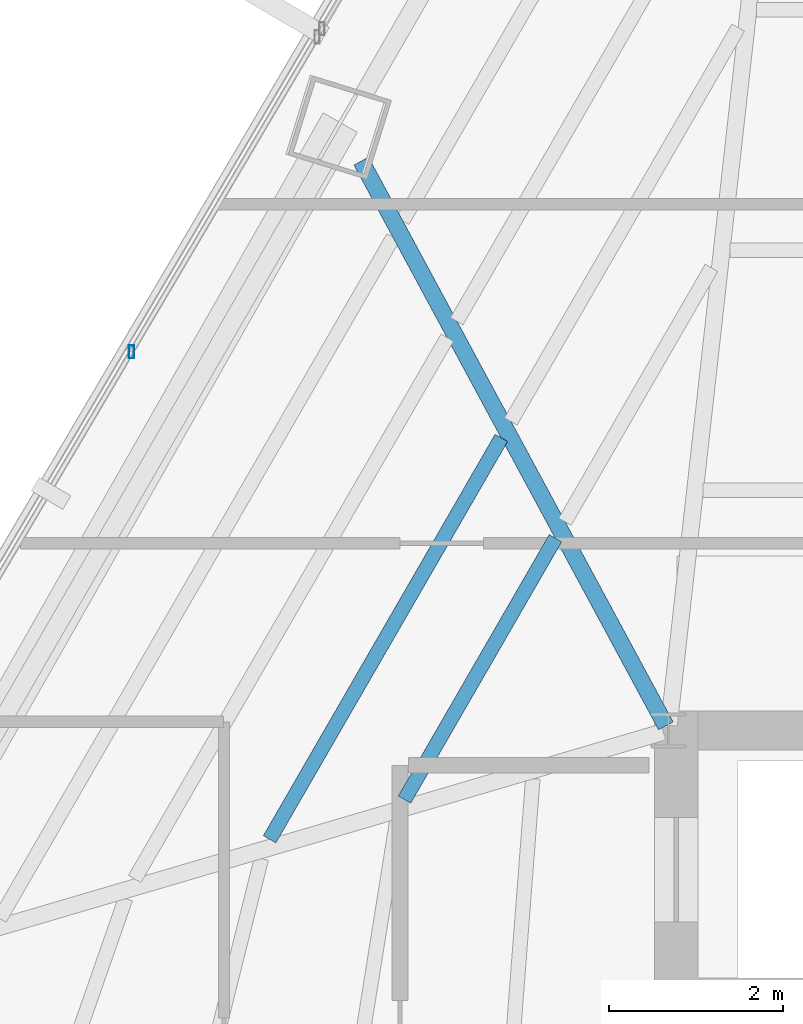
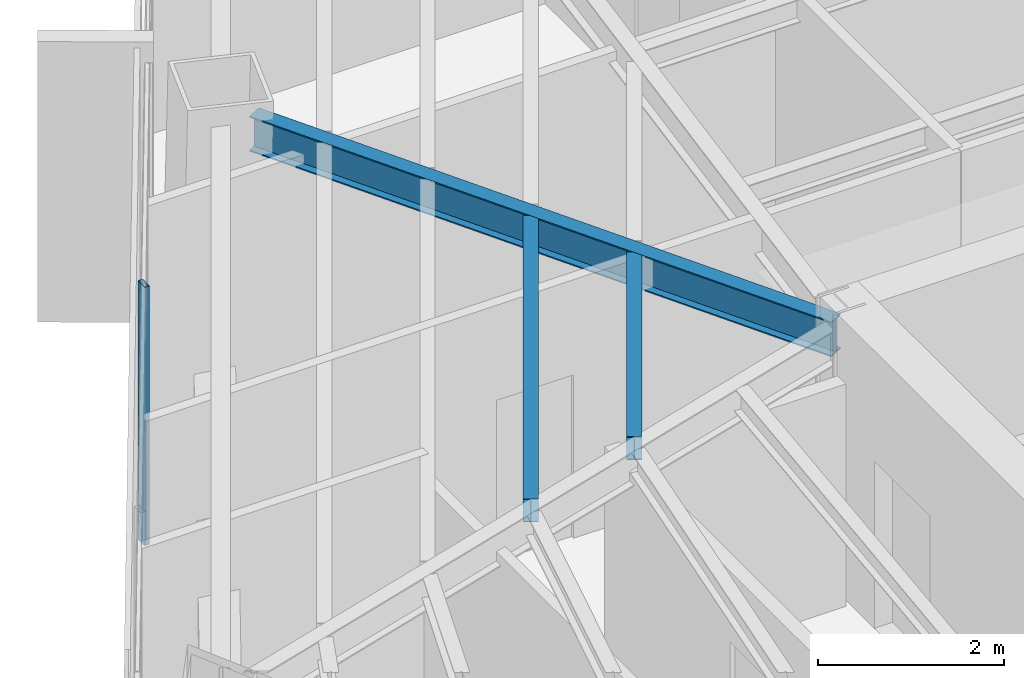
# One storey, part 14 of 40: 3 beams, 1 member, 1 element without a shape of its own.
"""IFC4 building model written with IfcOpenShell, lengths in metres."""

from ifc_helpers import new_model, si_unit, direction, frame, origin, origin_2d, place, context, subcontext, project, spatial, hollow_rectangle, i_section, extrude, source, transform, mapped, material, material_profile, profile_set, type_object, type_shapes, element, aggregate, save


model = new_model("IFC4")

# Units and contexts
model_context = context("Model", 3, precision=1e-05, world=origin(), true_north=direction((0.0, 1.0)))
body_context = subcontext(model_context, "Body", "Model", "MODEL_VIEW")
ifc_project = project(units=[si_unit("LENGTHUNIT", "METRE"), si_unit("AREAUNIT", "SQUARE_METRE"), si_unit("VOLUMEUNIT", "CUBIC_METRE"), si_unit("PLANEANGLEUNIT", "RADIAN"), si_unit("MASSUNIT", "GRAM", prefix="KILO")], contexts=[model_context])

# Site, building, storey
site_placement = place(None, origin())
site = spatial("IfcSite", under=ifc_project, at=site_placement, CompositionType="ELEMENT")
building_placement = place(site_placement, origin())
building = spatial("IfcBuilding", under=site, at=building_placement, Name="Caelisora Broadcast Tower", CompositionType="ELEMENT")
storey_placement = place(building_placement, frame((0.0, 0.0, 176.75)))
storey = spatial("IfcBuildingStorey", under=building, at=storey_placement, Name="L46", CompositionType="ELEMENT", Elevation=176.75)

# Beams
ifc_material_1 = material(Name="Steel Grade 350 (AS/NZS 3679.1)", Category="steel")
ifc_material_profile_1 = material_profile(ifc_material_1, i_section(OverallWidth=0.19091796875, OverallDepth=0.46044921875, WebThickness=0.010009765625, FlangeThickness=0.01611328125, at=origin_2d()), Name="Steel Grade 350 (AS/NZS 3679.1)")
ifc_profile_set_1 = profile_set([ifc_material_profile_1], Name="Steel Grade 350 (AS/NZS 3679.1)")
beam_type_1 = type_object("IfcBeamType", Name="PG06", PredefinedType="BEAM", material=ifc_profile_set_1)
shared_shape_1 = source(origin(), body_context, "Body", "SweptSolid", [
    extrude(i_section(OverallWidth=0.19091796875, OverallDepth=0.46044921875, WebThickness=0.010009765625, FlangeThickness=0.01611328125, at=origin_2d()), origin(), (0.0, 0.0, 1.0), 7.365478515625),
])
type_shapes(beam_type_1, [shared_shape_1])
beam_1_placement = place(storey_placement, frame((30.471435546875, 30.052734375, 3.169921875), z_axis=(-0.474761865056, 0.88011429456, 0.0), x_axis=(-0.88011429456, -0.474761865056, 0.0)))
element("IfcBeam", 1, at=beam_1_placement, inside=storey, type_object=beam_type_1, Name="L46 beam PG06", PredefinedType="BEAM", context=body_context, shape_type="MappedRepresentation", body=[
    mapped(shared_shape_1, transform((0.0, 0.0, 0.0), scale=1.0)),
])
ifc_material_profile_2 = material_profile(ifc_material_1, i_section(OverallWidth=0.166015625, OverallDepth=0.30712890625, WebThickness=0.006591796875, FlangeThickness=0.01171875, at=origin_2d()), Name="Steel Grade 350 (AS/NZS 3679.1)")
ifc_profile_set_2 = profile_set([ifc_material_profile_2], Name="Steel Grade 350 (AS/NZS 3679.1)")
beam_type_2 = type_object("IfcBeamType", Name="SB03", PredefinedType="JOIST", material=ifc_profile_set_2)
shared_shape_2 = source(origin(), body_context, "Body", "SweptSolid", [
    extrude(i_section(OverallWidth=0.166015625, OverallDepth=0.30712890625, WebThickness=0.006591796875, FlangeThickness=0.01171875, at=origin_2d()), origin(), (0.0, 0.0, 1.0), 3.46435546875),
])
beam_2_placement = place(storey_placement, frame((29.203857421875, 32.20703125, 3.246337890625), z_axis=(-0.499996963119, -0.866027157121, 0.0), x_axis=(0.866027157121, -0.499996963119, 0.0)))
element("IfcBeam", 2, at=beam_2_placement, inside=storey, type_object=beam_type_2, Name="L46 beam SB03", PredefinedType="JOIST", context=body_context, shape_type="MappedRepresentation", body=[
    mapped(shared_shape_2, transform((0.0, 0.0, 0.0), scale=1.0)),
])
shared_shape_3 = source(origin(), body_context, "Body", "SweptSolid", [
    extrude(i_section(OverallWidth=0.166015625, OverallDepth=0.30712890625, WebThickness=0.006591796875, FlangeThickness=0.01171875, at=origin_2d()), origin(), (0.0, 0.0, 1.0), 5.31884765625),
])
type_shapes(beam_type_2, [shared_shape_2, shared_shape_3])
beam_3_placement = place(storey_placement, frame((28.5830078125, 33.35791015625, 3.246337890625), z_axis=(-0.500004560459, -0.866022770786, 0.0), x_axis=(0.866022770786, -0.500004560459, 0.0)))
element("IfcBeam", 3, at=beam_3_placement, inside=storey, type_object=beam_type_2, Name="L46 beam SB03", PredefinedType="JOIST", context=body_context, shape_type="MappedRepresentation", body=[
    mapped(shared_shape_3, transform((0.0, 0.0, 0.0), scale=1.0)),
])

# Curtain wall, member
ifc_material_2 = material(Name="Unitised Aluminium Insulated Shadow-Box Spandrel Curtain Wall", Category="aluminium")
curtain_wall_type = type_object("IfcCurtainWallType", Name="CW-SP2", PredefinedType="NOTDEFINED", material=ifc_material_2)
curtain_wall_placement = place(storey_placement, origin())
curtain_wall = element("IfcCurtainWall", 4, at=curtain_wall_placement, inside=storey, type_object=curtain_wall_type, Name="L46 curtain wall CW-SP2", PredefinedType="NOTDEFINED")
ifc_material_3 = material(Name="Aluminium 6063-T6 Anodised Terracotta Bronze", Category="aluminium")
ifc_material_profile_3 = material_profile(ifc_material_3, hollow_rectangle(XDim=0.06005859375, YDim=0.14990234375, WallThickness=0.00341796875, at=origin_2d()), Name="Aluminium 6063-T6 Anodised Terracotta Bronze")
ifc_profile_set_3 = profile_set([ifc_material_profile_3], Name="Aluminium 6063-T6 Anodised Terracotta Bronze")
member_type = type_object("IfcMemberType", Name="CWM-03", PredefinedType="MULLION", material=ifc_profile_set_3)
shared_shape_4 = source(origin(), body_context, "Body", "SweptSolid", [
    extrude(hollow_rectangle(XDim=0.06005859375, YDim=0.14990234375, WallThickness=0.00341796875, at=origin_2d()), origin(), (0.0, 0.0, 1.0), 3.39990234375),
])
type_shapes(member_type, [shared_shape_4])
member_placement = place(storey_placement, frame((24.337890625, 34.3466796875, 0.0), z_axis=(0.0, 0.0, 1.0), x_axis=(1.0, 0.0, 0.0)))
member = element("IfcMember", 5, at=member_placement, type_object=member_type, Name="L46-CW-B10 mullion #2", PredefinedType="MULLION", context=body_context, shape_type="MappedRepresentation", body=[
    mapped(shared_shape_4, transform((0.0, 0.0, 0.0), scale=1.0)),
])
aggregate(curtain_wall, [member])

save(model, "model.ifc")
